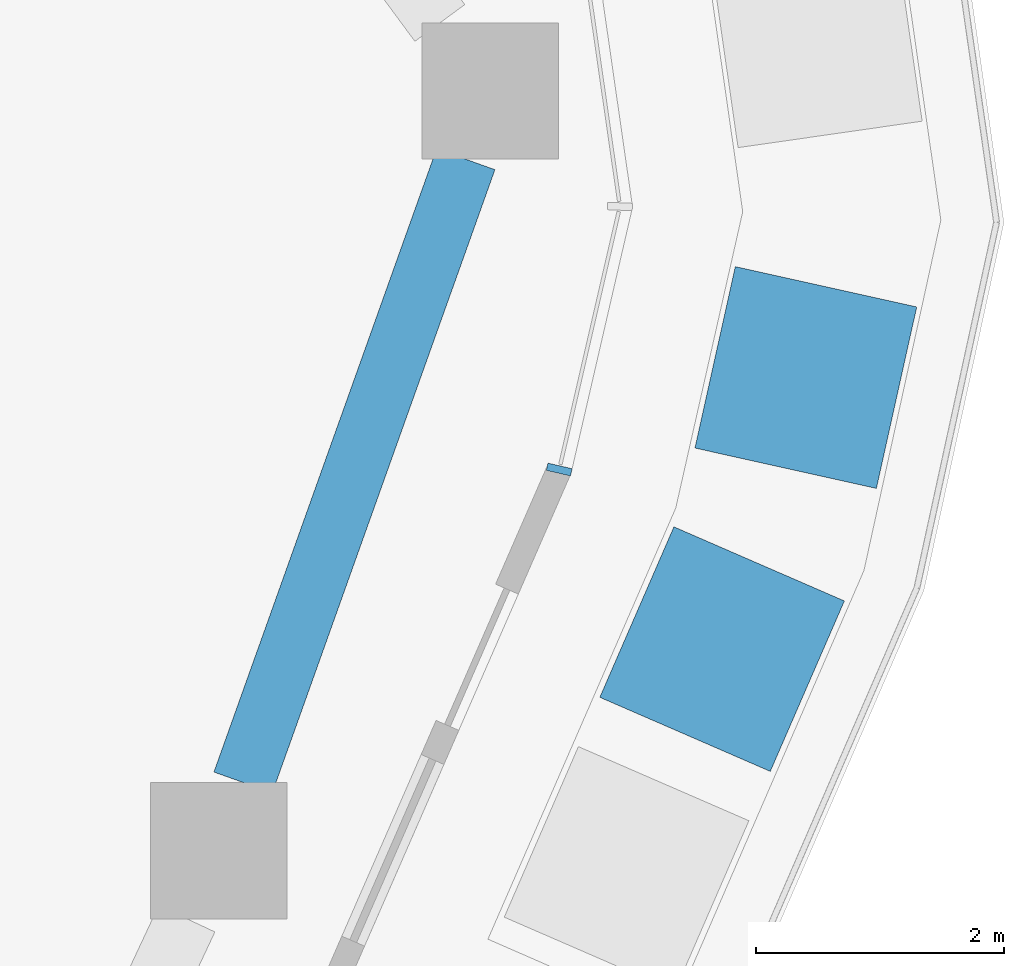
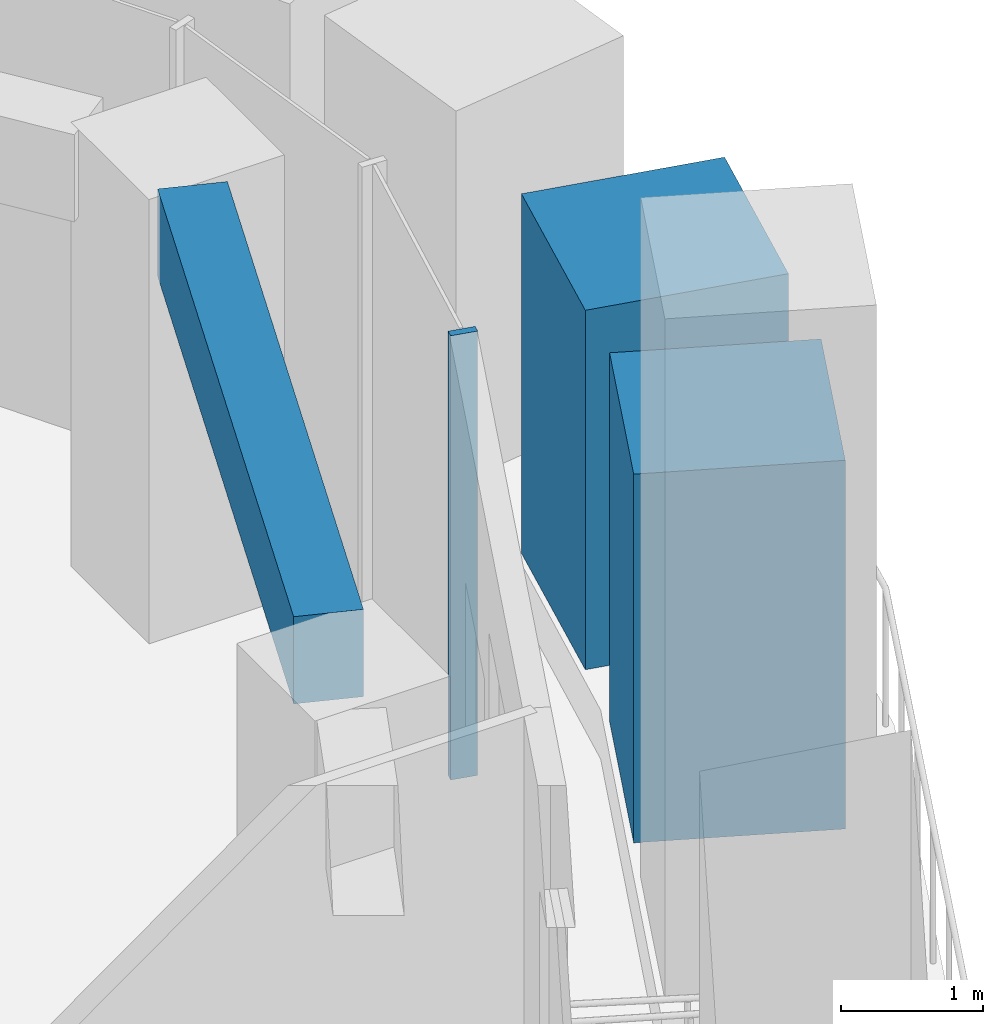
# One storey, part 5 of 20: 3 members, 1 beam, 1 element without a shape of its own.
"""IFC4 building model written with IfcOpenShell, lengths in metres."""

from ifc_helpers import new_model, si_unit, direction, frame, origin, origin_2d, place, context, subcontext, project, spatial, rectangle, extrude, material, layer, layer_set, material_profile, profile_set, type_object, element, aggregate, save


model = new_model("IFC4")

# Units and contexts
model_context = context("Model", 3, precision=1e-05, world=origin(), true_north=direction((0.0, 1.0)))
body_context = subcontext(model_context, "Body", "Model", "MODEL_VIEW")
ifc_project = project(units=[si_unit("LENGTHUNIT", "METRE"), si_unit("AREAUNIT", "SQUARE_METRE"), si_unit("VOLUMEUNIT", "CUBIC_METRE"), si_unit("PLANEANGLEUNIT", "RADIAN"), si_unit("MASSUNIT", "GRAM", prefix="KILO")], contexts=[model_context])

# Site, building, storey
site_placement = place(None, origin())
site = spatial("IfcSite", under=ifc_project, at=site_placement, CompositionType="ELEMENT")
building_placement = place(site_placement, origin())
building = spatial("IfcBuilding", under=site, at=building_placement, Name="Dongbaek Canopy Tower", CompositionType="ELEMENT")
storey_placement = place(building_placement, frame((0.0, 0.0, 249.60009765625)))
storey = spatial("IfcBuildingStorey", under=building, at=storey_placement, Name="L52", CompositionType="ELEMENT", Elevation=249.60009765625)

# Curtain wall, member
ifc_material_1 = material(Name="Aluminium 6063-T6 pale anodised", Category="aluminium")
ifc_layer = layer(ifc_material_1, 0.199951171875)
ifc_layer_set = layer_set([ifc_layer], Name="CW-1 unitised tower curtain wall")
curtain_wall_type = type_object("IfcCurtainWallType", Name="CW-1 unitised tower curtain wall", PredefinedType="NOTDEFINED", material=ifc_layer_set)
curtain_wall_placement = place(storey_placement, origin())
curtain_wall = element("IfcCurtainWall", 1, at=curtain_wall_placement, inside=storey, type_object=curtain_wall_type, Name="CW-1 curtain wall K0.1", PredefinedType="NOTDEFINED")
ifc_material_2 = material(Name="Aluminium 6063-T6 pale anodised", Category="aluminium")
ifc_material_profile_1 = material_profile(ifc_material_2, rectangle(XDim=0.199951171875, YDim=0.06005859375, at=origin_2d()), Name="CW-1 mullion 60 x 200")
ifc_profile_set_1 = profile_set([ifc_material_profile_1], Name="Aluminium 6063-T6 pale anodised")
member_type_1 = type_object("IfcMemberType", Name="CW-1 mullion 60 x 200", PredefinedType="MULLION", material=ifc_profile_set_1)
member_1_placement = place(storey_placement, frame((28.04931640625, 2.92333984375, 0.0), z_axis=(0.0, 0.0, 1.0), x_axis=(0.974361728363, -0.224987160304, 0.0)))
member_1 = element("IfcMember", 2, at=member_1_placement, type_object=member_type_1, Name="CW-1 mullion K0.1.1", PredefinedType="MULLION", context=body_context, shape_type="SweptSolid", body=[
    extrude(rectangle(XDim=0.199951171875, YDim=0.06005859375, at=origin_2d()), origin(), (0.0, 0.0, 1.0), 3.81982421875),
])
aggregate(curtain_wall, [member_1])

# Beam
ifc_material_3 = material(Name="Concrete C70", Category="concrete")
ifc_material_profile_2 = material_profile(ifc_material_3, rectangle(XDim=0.5, YDim=0.75, at=origin_2d()), Name="RC EDGE BEAM 500x750 C70")
ifc_profile_set_2 = profile_set([ifc_material_profile_2], Name="Concrete C70")
beam_type = type_object("IfcBeamType", Name="RC EDGE BEAM 500x750 C70", PredefinedType="BEAM", material=ifc_profile_set_2)
beam_placement = place(storey_placement, frame((27.29541015625, 5.427001953125, 3.44482421875), z_axis=(-0.336466714227, -0.94169535956, 0.0), x_axis=(0.94169535956, -0.336466714227, 0.0)))
element("IfcBeam", 3, at=beam_placement, inside=storey, type_object=beam_type, Name="EDGEBEAM:L52:21", PredefinedType="BEAM", context=body_context, shape_type="SweptSolid", body=[
    extrude(rectangle(XDim=0.5, YDim=0.75, at=origin_2d()), origin(), (0.0, 0.0, 1.0), 5.34033203125),
])

# Members
ifc_material_4 = material(Name="Concrete C40/50 planter mass with planting", Category="concrete")
ifc_material_profile_3 = material_profile(ifc_material_4, rectangle(XDim=1.5, YDim=1.5, at=origin_2d()), Name="Terrace PLANTER shrub mass 1500 x 1500")
ifc_profile_set_3 = profile_set([ifc_material_profile_3], Name="Concrete C40/50 planter mass with planting")
member_type_2 = type_object("IfcMemberType", Name="Terrace PLANTER shrub mass 1500 x 1500", PredefinedType="USERDEFINED", material=ifc_profile_set_3)
member_2_placement = place(storey_placement, frame((29.36376953125, 1.47412109375, 0.419921875), z_axis=(0.0, 0.0, 1.0), x_axis=(0.917131470952, -0.398584827846, 0.0)))
element("IfcMember", 4, at=member_2_placement, inside=storey, type_object=member_type_2, Name="Planter shrubs L52 6.2", ObjectType="PLANTER", PredefinedType="USERDEFINED", context=body_context, shape_type="SweptSolid", body=[
    extrude(rectangle(XDim=1.5, YDim=1.5, at=origin_2d()), origin(), (0.0, 0.0, 1.0), 3.169921875),
])
member_3_placement = place(storey_placement, frame((30.03955078125, 3.665771484375, 0.419921875), z_axis=(0.0, 0.0, 1.0), x_axis=(0.976147244167, -0.217109552313, 0.0)))
element("IfcMember", 5, at=member_3_placement, inside=storey, type_object=member_type_2, Name="Planter shrubs L52 6.3", ObjectType="PLANTER", PredefinedType="USERDEFINED", context=body_context, shape_type="SweptSolid", body=[
    extrude(rectangle(XDim=1.5, YDim=1.5, at=origin_2d()), origin(), (0.0, 0.0, 1.0), 3.090087890625),
])

save(model, "model.ifc")
